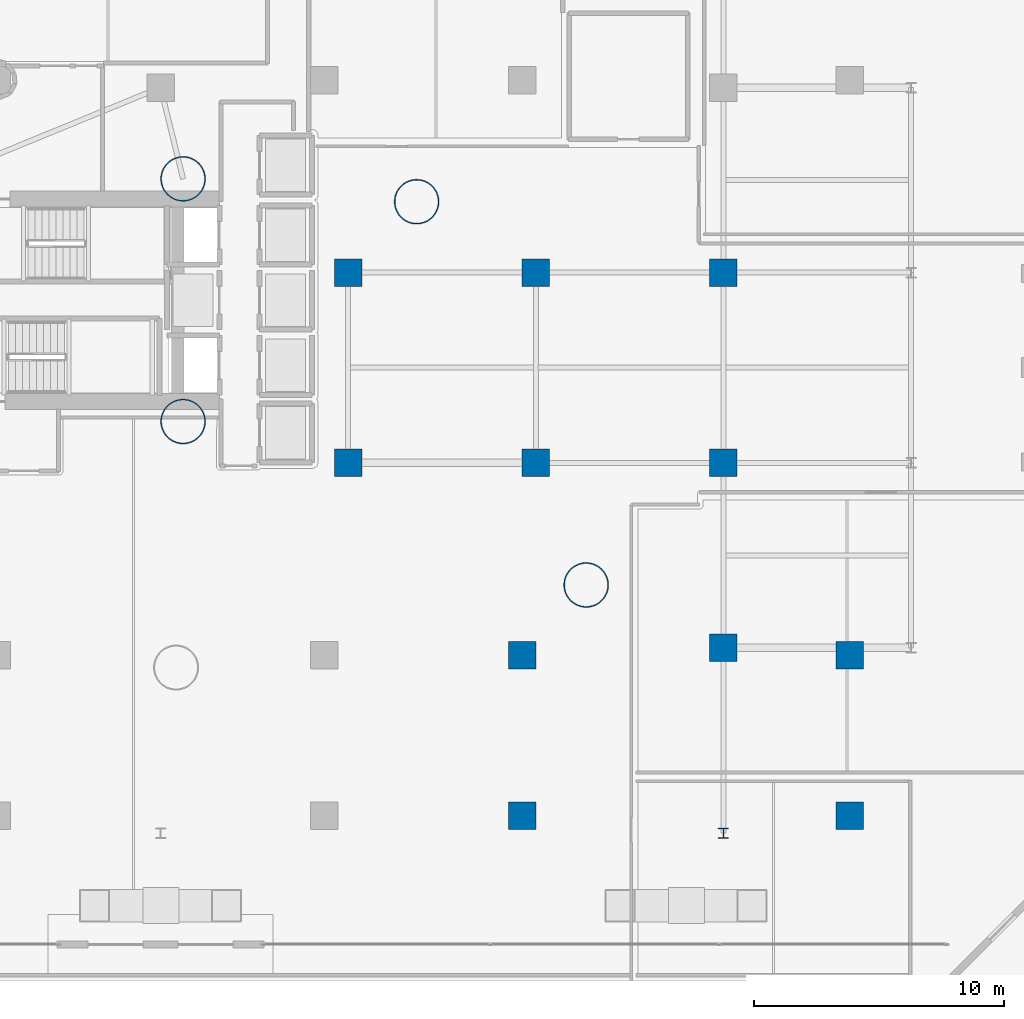
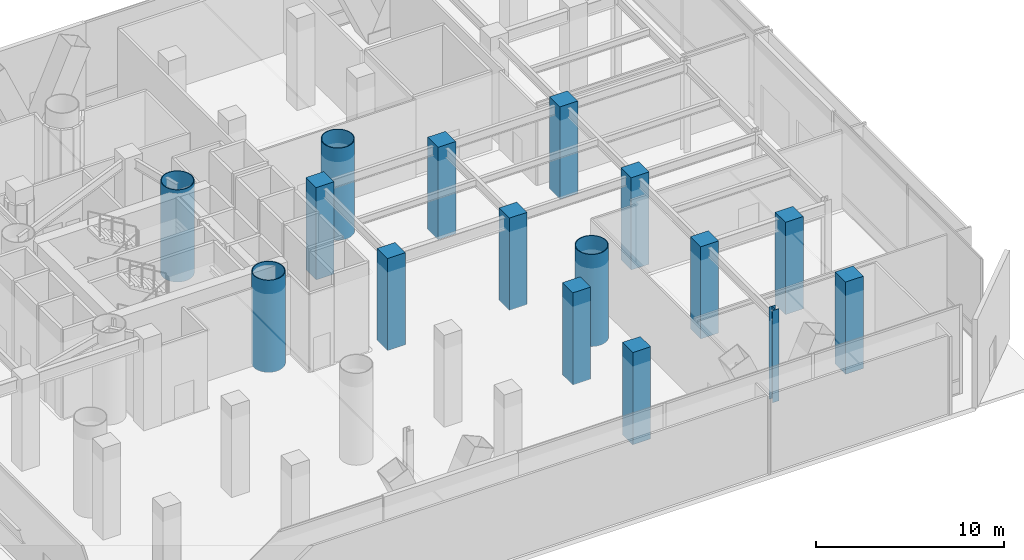
# One storey, part 2 of 40: 16 columns.
"""IFC4 building model written with IfcOpenShell, lengths in metres."""

import ifcopenshell
import ifcopenshell.guid

model = None  # the IFC model being written
_history = None  # IfcOwnerHistory: only IFC2X3 demands one
_inside = {}  # id of a spatial element -> (the spatial element, [elements in it])
_under = {}  # id of a project, library or spatial element -> (it, [spatial elements below it])
_declared = {}  # id of a project -> (the project, [libraries it declares])
_typed = {}  # id of a type object -> (the type object, [elements of that type])
_made_of = {}  # id of a material, layer set ... -> (it, [elements and type objects made of it])


def new_model(schema):
    """Start an empty IFC model of exactly this schema.

    Asked for "IFC4X3", IfcOpenShell would pick the latest addendum, in which some entities
    have other attributes; the version numbers below select the first issue.
    IFC2X3 requires an IfcOwnerHistory on every rooted entity: one is made here for all.
    """
    global model, _history
    if schema == "IFC4X3":
        model = ifcopenshell.file(schema_version=(4, 3, 0, 0))
    else:
        model = ifcopenshell.file(schema=schema)
    _inside.clear()
    _under.clear()
    _declared.clear()
    _typed.clear()
    _made_of.clear()
    _history = None
    if model.schema == "IFC2X3":
        org = make("IfcOrganization", Name="unknown")
        user = make(
            "IfcPersonAndOrganization",
            ThePerson=make("IfcPerson", FamilyName="unknown"),
            TheOrganization=org,
        )
        app = make(
            "IfcApplication",
            ApplicationDeveloper=org,
            Version="unknown",
            ApplicationFullName="unknown",
            ApplicationIdentifier="unknown",
        )
        _history = make(
            "IfcOwnerHistory",
            OwningUser=user,
            OwningApplication=app,
            ChangeAction="ADDED",
            CreationDate=0,
        )
    return model


def make(cls, **values):
    """One entity of the class cls with the attributes given. An attribute that is None is left unset."""
    return model.create_entity(
        cls, **{name: value for name, value in values.items() if value is not None}
    )


def rooted(cls, **values):
    """An entity with a GlobalId (a new one), such as an element, a storey or a relation."""
    return make(cls, GlobalId=ifcopenshell.guid.new(), OwnerHistory=_history, **values)


def si_unit(unit_type, name, prefix=None):
    """IfcSIUnit, for example si_unit("LENGTHUNIT", "METRE", prefix="MILLI")."""
    return make("IfcSIUnit", UnitType=unit_type, Prefix=prefix, Name=name)


def assignment(units):
    """IfcUnitAssignment: the units of a project."""
    return None if units is None else make("IfcUnitAssignment", Units=units)


def point(xyz):
    """IfcCartesianPoint."""
    return None if xyz is None else make("IfcCartesianPoint", Coordinates=xyz)


def direction(xyz):
    """IfcDirection."""
    return None if xyz is None else make("IfcDirection", DirectionRatios=xyz)


def frame(location, z_axis=None, x_axis=None):
    """IfcAxis2Placement3D, a coordinate frame: its origin and axes. An axis left out is left unset."""
    return make(
        "IfcAxis2Placement3D",
        Location=point(location),
        Axis=direction(z_axis),
        RefDirection=direction(x_axis),
    )


def frame_2d(location, x_axis=None):
    """IfcAxis2Placement2D, a coordinate frame in the plane: its origin and x axis."""
    return make(
        "IfcAxis2Placement2D", Location=point(location), RefDirection=direction(x_axis)
    )


def origin():
    """The frame at (0, 0, 0) with its axes left unset."""
    return frame((0.0, 0.0, 0.0))


def origin_2d():
    """The frame at (0, 0) in the plane with its x axis left unset."""
    return frame_2d((0.0, 0.0))


def place(relative_to, where):
    """IfcLocalPlacement: puts the frame where relative to a parent placement (None: the world)."""
    return make(
        "IfcLocalPlacement", PlacementRelTo=relative_to, RelativePlacement=where
    )


def context(
    kind, dimensions, precision=None, world=None, true_north=None, identifier=None
):
    """IfcGeometricRepresentationContext, for example the 3D "Model" context."""
    return make(
        "IfcGeometricRepresentationContext",
        ContextIdentifier=identifier,
        ContextType=kind,
        CoordinateSpaceDimension=dimensions,
        Precision=precision,
        WorldCoordinateSystem=world,
        TrueNorth=true_north,
    )


def subcontext(parent, identifier, kind, view, scale=None):
    """IfcGeometricRepresentationSubContext, for example "Body" below "Model"."""
    return make(
        "IfcGeometricRepresentationSubContext",
        ContextIdentifier=identifier,
        ContextType=kind,
        ParentContext=parent,
        TargetScale=scale,
        TargetView=view,
    )


def project(units=None, contexts=None):
    """IfcProject with its units and contexts."""
    return rooted(
        "IfcProject",
        Name="project",
        RepresentationContexts=contexts,
        UnitsInContext=assignment(units),
    )


def spatial(cls, under=None, at=None, **own):
    """A site, building, storey or space (cls), placed at a placement, below another one or the project."""
    s = rooted(cls, ObjectPlacement=at, **own)
    if under is not None:
        _under.setdefault(under.id(), (under, []))[1].append(s)
    return s


def profile(cls, at=None, kind="AREA", **sizes):
    """A parametric profile (cls). Its sizes go by their IFC names, for example OverallWidth=200.0."""
    return make(cls, ProfileType=kind, Position=at, **sizes)


def rectangle(**sizes):
    """IfcRectangleProfileDef."""
    return profile("IfcRectangleProfileDef", **sizes)


def hollow_circle(**sizes):
    """IfcCircleHollowProfileDef."""
    return profile("IfcCircleHollowProfileDef", **sizes)


def i_section(**sizes):
    """IfcIShapeProfileDef."""
    return profile("IfcIShapeProfileDef", **sizes)


def extrude(swept, where, along, depth):
    """IfcExtrudedAreaSolid: the profile swept, set in the frame where, extruded along a direction by depth."""
    return make(
        "IfcExtrudedAreaSolid",
        SweptArea=swept,
        Position=where,
        ExtrudedDirection=direction(along),
        Depth=depth,
    )


def shape(context_of_items, identifier, shape_type, items):
    """IfcShapeRepresentation: the items that make up one representation, for example the "Body"."""
    return make(
        "IfcShapeRepresentation",
        ContextOfItems=context_of_items,
        RepresentationIdentifier=identifier,
        RepresentationType=shape_type,
        Items=items,
    )


def material(Name=None, Category=None):
    """IfcMaterial."""
    return make("IfcMaterial", Name=Name, Category=Category)


def material_profile(
    of_material, cross_section, Name=None, Category=None, Priority=None
):
    """IfcMaterialProfile: a cross section and its material."""
    return make(
        "IfcMaterialProfile",
        Name=Name,
        Material=of_material,
        Profile=cross_section,
        Priority=Priority,
        Category=Category,
    )


def profile_set(profiles, Name=None, composite=None):
    """IfcMaterialProfileSet."""
    return make(
        "IfcMaterialProfileSet",
        Name=Name,
        MaterialProfiles=profiles,
        CompositeProfile=composite,
    )


def made_of(thing, what):
    """Note that an element or type object is made of a material, layer set ...; save() writes the relation."""
    if what is not None:
        _made_of.setdefault(what.id(), (what, []))[1].append(thing)
    return thing


def type_object(cls, material=None, **own):
    """A type object (cls), such as IfcWallType, which elements share."""
    return made_of(rooted(cls, **own), material)


def element(
    cls,
    number,
    at=None,
    inside=None,
    cuts=None,
    type_object=None,
    material=None,
    context=None,
    identifier="Body",
    shape_type=None,
    held_by="IfcProductDefinitionShape",
    body=None,
    shapes=None,
    **own,
):
    """One element of the class cls, such as IfcWall. Its Tag is "e" and its number.

    at: its placement. inside: the storey or other place that contains it. cuts: it is an
    opening in that element (IfcRelVoidsElement). A single representation is given by context,
    identifier, shape_type and body (its items); several are given by shapes. held_by: the class
    of the entity that holds the representations. save() writes the other relations.
    """
    e = rooted(cls, Tag="e%d" % number, ObjectPlacement=at, **own)
    if body is not None:
        shapes = [shape(context, identifier, shape_type, body)]
    if shapes is not None:
        e.Representation = make(held_by, Representations=shapes)
    if inside is not None:
        _inside.setdefault(inside.id(), (inside, []))[1].append(e)
    if cuts is not None:
        rooted(
            "IfcRelVoidsElement", RelatingBuildingElement=cuts, RelatedOpeningElement=e
        )
    if type_object is not None:
        _typed.setdefault(type_object.id(), (type_object, []))[1].append(e)
    return made_of(e, material)


def aggregate(whole, parts):
    """IfcRelAggregates: a whole, such as a stair, and the parts it consists of."""
    return rooted("IfcRelAggregates", RelatingObject=whole, RelatedObjects=parts)


def save(model, path):
    """Write the relations noted so far, then the file.

    IfcRelAggregates (storeys below a building ...), IfcRelContainedInSpatialStructure (elements
    in a storey), IfcRelDefinesByType, IfcRelAssociatesMaterial and IfcRelDeclares: one each for
    every whole, place, type object, material and project.
    """
    for whole, parts in _under.values():
        aggregate(whole, parts)
    for where, things in _inside.values():
        rooted(
            "IfcRelContainedInSpatialStructure",
            RelatedElements=things,
            RelatingStructure=where,
        )
    for kind, things in _typed.values():
        rooted("IfcRelDefinesByType", RelatedObjects=things, RelatingType=kind)
    for what, things in _made_of.values():
        rooted("IfcRelAssociatesMaterial", RelatedObjects=things, RelatingMaterial=what)
    for by, libraries in _declared.values():
        rooted("IfcRelDeclares", RelatingContext=by, RelatedDefinitions=libraries)
    model.write(path)


model = new_model("IFC4")

# Units and contexts
model_context = context("Model", 3, precision=1e-05, world=origin(), true_north=direction((0.0, 1.0)))
body_context = subcontext(model_context, "Body", "Model", "MODEL_VIEW")
ifc_project = project(units=[si_unit("LENGTHUNIT", "METRE"), si_unit("AREAUNIT", "SQUARE_METRE"), si_unit("VOLUMEUNIT", "CUBIC_METRE"), si_unit("PLANEANGLEUNIT", "RADIAN"), si_unit("MASSUNIT", "GRAM", prefix="KILO")], contexts=[model_context])

# Site, building, storey
site_placement = place(None, origin())
site = spatial("IfcSite", under=ifc_project, at=site_placement, CompositionType="ELEMENT")
building_placement = place(site_placement, origin())
building = spatial("IfcBuilding", under=site, at=building_placement, Name="Qianvela Tower", CompositionType="ELEMENT")
storey_placement = place(building_placement, origin())
storey = spatial("IfcBuildingStorey", under=building, at=storey_placement, Name="L00", CompositionType="ELEMENT", Elevation=0.0)

# Columns
ifc_material_1 = material(Name="Steel Q420GJC", Category="steel")
ifc_material_profile_1 = material_profile(ifc_material_1, hollow_circle(Radius=0.89990234375, WallThickness=0.044921875, at=origin_2d()), Name="CFT-1800x45")
ifc_profile_set_1 = profile_set([ifc_material_profile_1], Name="Steel Q420GJC")
column_type_1 = type_object("IfcColumnType", Name="COL-CFT-1800x45", PredefinedType="COLUMN", material=ifc_profile_set_1)
for number, where, z_axis, x_axis, name in (
    (1, (38.39990234375, 33.550048828125, 0.0), (0.0, 0.0, 1.0), (1.0, 0.0, 0.0), "L00 Core Corner Mega-Column CC-NE"),
    (2, (38.39990234375, 23.85009765625, 0.0), (0.0, 0.0, 1.0), (1.0, 0.0, 0.0), "L00 Core Corner Mega-Column CC-SE"),
    (3, (54.511962890625, 17.31689453125, 0.0), (0.0, 0.0, 1.0), (1.0, 0.0, 0.0), "L00 Tower Base CFT Mega-Column C1"),
    (4, (47.736083984375, 32.636962890625, 0.0), (0.0, 0.0, 1.0), (1.0, 0.0, 0.0), "L00 Tower Base CFT Mega-Column C2"),
):
    element("IfcColumn", number, at=place(storey_placement, frame(where, z_axis=z_axis, x_axis=x_axis)), inside=storey, type_object=column_type_1, Name=name, PredefinedType="COLUMN", context=body_context, shape_type="SweptSolid", body=[
        extrude(hollow_circle(Radius=0.89990234375, WallThickness=0.044921875, at=origin_2d()), origin(), (0.0, 0.0, 1.0), 6.0),
    ])
ifc_material_2 = material(Name="Steel Q355B", Category="steel")
ifc_material_profile_2 = material_profile(ifc_material_2, i_section(OverallWidth=0.39990234375, OverallDepth=0.39990234375, WebThickness=0.012939453125, FlangeThickness=0.02099609375, at=origin_2d()), Name="HW400x400x13x21")
ifc_profile_set_2 = profile_set([ifc_material_profile_2], Name="Steel Q355B")
column_type_2 = type_object("IfcColumnType", Name="COL-HW-400", PredefinedType="COLUMN", material=ifc_profile_set_2)
column_placement = place(storey_placement, frame((60.0, 7.39990234375, 0.0), z_axis=(0.0, 0.0, 1.0), x_axis=(1.0, 0.0, 0.0)))
element("IfcColumn", 5, at=column_placement, inside=storey, type_object=column_type_2, Name="L00 Podium Grid Column P38", PredefinedType="COLUMN", context=body_context, shape_type="SweptSolid", body=[
    extrude(i_section(OverallWidth=0.39990234375, OverallDepth=0.39990234375, WebThickness=0.012939453125, FlangeThickness=0.02099609375, at=origin_2d()), origin(), (0.0, 0.0, 1.0), 6.0),
])
ifc_material_3 = material(Name="Concrete C60", Category="concrete")
ifc_material_profile_3 = material_profile(ifc_material_3, rectangle(XDim=1.10009765625, YDim=1.10009765625, at=origin_2d()), Name="RC-COL-1100x1100")
ifc_profile_set_3 = profile_set([ifc_material_profile_3], Name="Concrete C60")
column_type_3 = type_object("IfcColumnType", Name="COL-RC-1100", PredefinedType="COLUMN", material=ifc_profile_set_3)
for number, where, z_axis, x_axis, name in (
    (6, (51.955322265625, 8.10009765625, 0.0), (0.0, 0.0, 1.0), (1.0, 0.0, 0.0), "L00 Concourse Colonnade Column VC-S3-L-B1"),
    (7, (51.955322265625, 14.5, 0.0), (0.0, 0.0, 1.0), (1.0, 0.0, 0.0), "L00 Concourse Colonnade Column VC-S3-L-B2"),
    (8, (65.044677734375, 8.10009765625, 0.0), (0.0, 0.0, 1.0), (1.0, 0.0, 0.0), "L00 Concourse Colonnade Column VC-S3-R-B1"),
    (9, (65.044677734375, 14.5, 0.0), (0.0, 0.0, 1.0), (1.0, 0.0, 0.0), "L00 Concourse Colonnade Column VC-S3-R-B2"),
    (10, (45.0, 22.199951171875, 0.0), (0.0, 0.0, 1.0), (1.0, 0.0, 0.0), "L00 Podium Grid Column P28"),
    (11, (45.0, 29.800048828125, 0.0), (0.0, 0.0, 1.0), (1.0, 0.0, 0.0), "L00 Podium Grid Column P29"),
    (12, (52.5, 22.199951171875, 0.0), (0.0, 0.0, 1.0), (1.0, 0.0, 0.0), "L00 Podium Grid Column P34"),
    (13, (52.5, 29.800048828125, 0.0), (0.0, 0.0, 1.0), (1.0, 0.0, 0.0), "L00 Podium Grid Column P35"),
    (14, (60.0, 14.800048828125, 0.0), (0.0, 0.0, 1.0), (1.0, 0.0, 0.0), "L00 Podium Grid Column P39"),
    (15, (60.0, 22.199951171875, 0.0), (0.0, 0.0, 1.0), (1.0, 0.0, 0.0), "L00 Podium Grid Column P40"),
    (16, (60.0, 29.800048828125, 0.0), (0.0, 0.0, 1.0), (1.0, 0.0, 0.0), "L00 Podium Grid Column P41"),
):
    element("IfcColumn", number, at=place(storey_placement, frame(where, z_axis=z_axis, x_axis=x_axis)), inside=storey, type_object=column_type_3, Name=name, PredefinedType="COLUMN", context=body_context, shape_type="SweptSolid", body=[
        extrude(rectangle(XDim=1.10009765625, YDim=1.10009765625, at=origin_2d()), origin(), (0.0, 0.0, 1.0), 6.0),
    ])

save(model, "model.ifc")
